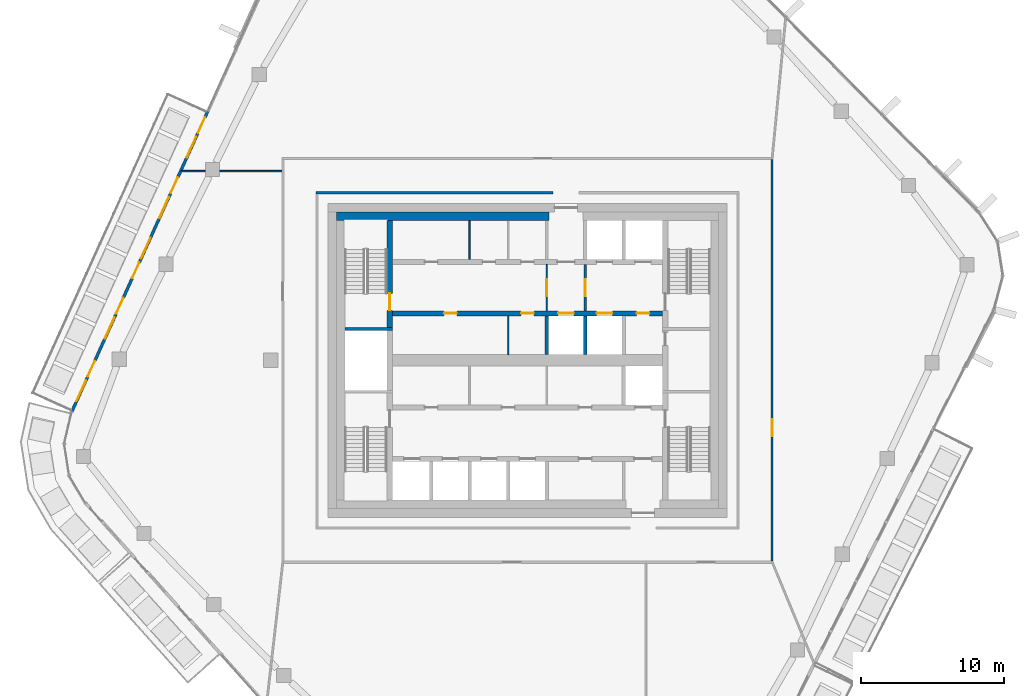
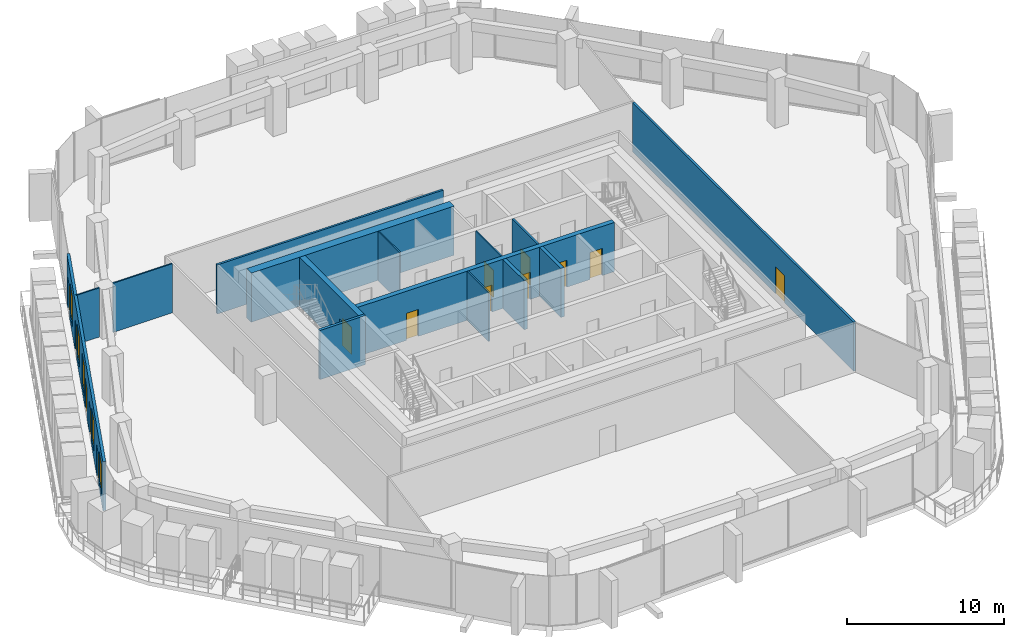
# One storey, part 14 of 23: 15 walls, 14 doors, 5 windows, 19 openings.
"""IFC4 building model written with IfcOpenShell, lengths in metres."""

from ifc_helpers import new_model, si_unit, direction, frame, frame_2d, origin, place, context, subcontext, project, spatial, rectangle, extrude, material, layer, layer_set, type_object, element, fill, save


model = new_model("IFC4")

# Units and contexts
model_context = context("Model", 3, precision=1e-05, world=origin(), true_north=direction((0.0, 1.0)))
body_context = subcontext(model_context, "Body", "Model", "MODEL_VIEW")
ifc_project = project(units=[si_unit("LENGTHUNIT", "METRE"), si_unit("AREAUNIT", "SQUARE_METRE"), si_unit("VOLUMEUNIT", "CUBIC_METRE"), si_unit("PLANEANGLEUNIT", "RADIAN"), si_unit("MASSUNIT", "GRAM", prefix="KILO")], contexts=[model_context])

# Site, building, storey
site_placement = place(None, origin())
site = spatial("IfcSite", under=ifc_project, at=site_placement, CompositionType="ELEMENT")
building_placement = place(site_placement, origin())
building = spatial("IfcBuilding", under=site, at=building_placement, Name="Dongbaek Canopy Tower", CompositionType="ELEMENT")
storey_placement = place(building_placement, frame((0.0, 0.0, 323.60009765625)))
storey = spatial("IfcBuildingStorey", under=building, at=storey_placement, Name="L69", CompositionType="ELEMENT", Elevation=323.60009765625)

# Wall, openings, doors
ifc_material_1 = material(Name="Concrete C60/75", Category="concrete")
ifc_layer_1 = layer(ifc_material_1, 0.35009765625)
ifc_layer_set_1 = layer_set([ifc_layer_1], Name="Core lobby wall 350 Concrete C60/75")
wall_type_1 = type_object("IfcWallType", Name="Core lobby wall 350 Concrete C60/75", PredefinedType="SHEAR", material=ifc_layer_set_1)
wall_1_placement = place(storey_placement, frame((9.449951171875, 3.300048828125, 0.0), z_axis=(0.0, 0.0, 1.0), x_axis=(-1.0, 0.0, 0.0)))
wall_1 = element("IfcWall", 1, at=wall_1_placement, inside=storey, type_object=wall_type_1, Name="Core wall", PredefinedType="SHEAR", context=body_context, shape_type="SweptSolid", body=[
    extrude(rectangle(XDim=18.89990234375, YDim=0.35009765625, at=frame_2d((9.449951171875, 0.0))), origin(), (0.0, 0.0, 1.0), 3.81982421875),
])
opening_1_placement = place(wall_1_placement, frame((6.199951171875, 0.0, 0.0)))
opening_1 = element("IfcOpeningElement", 2, at=opening_1_placement, cuts=wall_1, Name="Opening L69-D011", PredefinedType="OPENING", context=body_context, shape_type="SweptSolid", body=[
    extrude(rectangle(XDim=1.10009765625, YDim=2.10009765625, at=frame_2d((0.550048828125, 1.050048828125))), frame((0.0, 0.18505859375, 0.0), z_axis=(0.0, -1.0, 0.0), x_axis=(1.0, 0.0, 0.0)), (0.0, 0.0, 1.0), 0.3701171875),
])
opening_2_placement = place(wall_1_placement, frame((3.5, 0.0, 0.0)))
opening_2 = element("IfcOpeningElement", 3, at=opening_2_placement, cuts=wall_1, Name="Opening L69-D012", PredefinedType="OPENING", context=body_context, shape_type="SweptSolid", body=[
    extrude(rectangle(XDim=1.10009765625, YDim=2.10009765625, at=frame_2d((0.550048828125, 1.050048828125))), frame((0.0, 0.18505859375, 0.0), z_axis=(0.0, -1.0, 0.0), x_axis=(1.0, 0.0, 0.0)), (0.0, 0.0, 1.0), 0.3701171875),
])
opening_3_placement = place(wall_1_placement, frame((0.89990234375, 0.0, 0.0)))
opening_3 = element("IfcOpeningElement", 4, at=opening_3_placement, cuts=wall_1, Name="Opening L69-D013", PredefinedType="OPENING", context=body_context, shape_type="SweptSolid", body=[
    extrude(rectangle(XDim=0.89990234375, YDim=2.10009765625, at=frame_2d((0.449951171875, 1.050048828125))), frame((0.0, 0.18505859375, 0.0), z_axis=(0.0, -1.0, 0.0), x_axis=(1.0, 0.0, 0.0)), (0.0, 0.0, 1.0), 0.3701171875),
])
opening_4_placement = place(wall_1_placement, frame((14.39990234375, 0.0, 0.0)))
opening_4 = element("IfcOpeningElement", 5, at=opening_4_placement, cuts=wall_1, Name="Opening L69-D024", PredefinedType="OPENING", context=body_context, shape_type="SweptSolid", body=[
    extrude(rectangle(XDim=0.89990234375, YDim=2.10009765625, at=frame_2d((0.449951171875, 1.050048828125))), frame((0.0, 0.18505859375, 0.0), z_axis=(0.0, -1.0, 0.0), x_axis=(1.0, 0.0, 0.0)), (0.0, 0.0, 1.0), 0.3701171875),
])
opening_5_placement = place(wall_1_placement, frame((9.0, 0.0, 0.0)))
opening_5 = element("IfcOpeningElement", 6, at=opening_5_placement, cuts=wall_1, Name="Opening L69-D025", PredefinedType="OPENING", context=body_context, shape_type="SweptSolid", body=[
    extrude(rectangle(XDim=0.89990234375, YDim=2.10009765625, at=frame_2d((0.449951171875, 1.050048828125))), frame((0.0, 0.18505859375, 0.0), z_axis=(0.0, -1.0, 0.0), x_axis=(1.0, 0.0, 0.0)), (0.0, 0.0, 1.0), 0.3701171875),
])
ifc_material_2 = material(Name="Steel", Category="steel")
door_type_1 = type_object("IfcDoorType", Name="Core room door 900 x 2100", OperationType="SINGLE_SWING_LEFT", PredefinedType="DOOR", material=ifc_material_2)
door_1_placement = place(opening_3_placement, origin())
door_1 = element("IfcDoor", 7, at=door_1_placement, inside=storey, type_object=door_type_1, Name="Door L69-D013", OperationType="SINGLE_SWING_LEFT", OverallHeight=2.10009765625, OverallWidth=0.89990234375, PredefinedType="DOOR", context=body_context, shape_type="SweptSolid", body=[
    extrude(rectangle(XDim=0.89990234375, YDim=2.10009765625, at=frame_2d((0.449951171875, 1.050048828125))), frame((0.0, 0.02490234375, 0.0), z_axis=(0.0, -1.0, 0.0), x_axis=(1.0, 0.0, 0.0)), (0.0, 0.0, 1.0), 0.050048828125),
])
fill(opening_3, door_1)
door_2_placement = place(opening_4_placement, origin())
door_2 = element("IfcDoor", 8, at=door_2_placement, inside=storey, type_object=door_type_1, Name="Door L69-D024", OperationType="SINGLE_SWING_LEFT", OverallHeight=2.10009765625, OverallWidth=0.89990234375, PredefinedType="DOOR", context=body_context, shape_type="SweptSolid", body=[
    extrude(rectangle(XDim=0.89990234375, YDim=2.10009765625, at=frame_2d((0.449951171875, 1.050048828125))), frame((0.0, 0.02490234375, 0.0), z_axis=(0.0, -1.0, 0.0), x_axis=(1.0, 0.0, 0.0)), (0.0, 0.0, 1.0), 0.050048828125),
])
fill(opening_4, door_2)
door_3_placement = place(opening_5_placement, origin())
door_3 = element("IfcDoor", 9, at=door_3_placement, inside=storey, type_object=door_type_1, Name="Door L69-D025", OperationType="SINGLE_SWING_RIGHT", OverallHeight=2.10009765625, OverallWidth=0.89990234375, PredefinedType="DOOR", context=body_context, shape_type="SweptSolid", body=[
    extrude(rectangle(XDim=0.89990234375, YDim=2.10009765625, at=frame_2d((0.449951171875, 1.050048828125))), frame((0.0, 0.02490234375, 0.0), z_axis=(0.0, -1.0, 0.0), x_axis=(1.0, 0.0, 0.0)), (0.0, 0.0, 1.0), 0.050048828125),
])
fill(opening_5, door_3)
ifc_material_3 = material(Name="Stainless steel", Category="steel")
door_type_2 = type_object("IfcDoorType", Name="Lift landing door 1100 x 2100", OperationType="DOUBLE_DOOR_SLIDING", PredefinedType="DOOR", material=ifc_material_3)
door_4_placement = place(opening_1_placement, origin())
door_4 = element("IfcDoor", 10, at=door_4_placement, inside=storey, type_object=door_type_2, Name="Landing door SV1", OperationType="DOUBLE_DOOR_SLIDING", OverallHeight=2.10009765625, OverallWidth=1.10009765625, PredefinedType="DOOR", context=body_context, shape_type="SweptSolid", body=[
    extrude(rectangle(XDim=1.10009765625, YDim=2.10009765625, at=frame_2d((0.550048828125, 1.050048828125))), frame((0.0, 0.02490234375, 0.0), z_axis=(0.0, -1.0, 0.0), x_axis=(1.0, 0.0, 0.0)), (0.0, 0.0, 1.0), 0.050048828125),
])
fill(opening_1, door_4)
door_5_placement = place(opening_2_placement, origin())
door_5 = element("IfcDoor", 11, at=door_5_placement, inside=storey, type_object=door_type_2, Name="Landing door FF3", OperationType="DOUBLE_DOOR_SLIDING", OverallHeight=2.10009765625, OverallWidth=1.10009765625, PredefinedType="DOOR", context=body_context, shape_type="SweptSolid", body=[
    extrude(rectangle(XDim=1.10009765625, YDim=2.10009765625, at=frame_2d((0.550048828125, 1.050048828125))), frame((0.0, 0.02490234375, 0.0), z_axis=(0.0, -1.0, 0.0), x_axis=(1.0, 0.0, 0.0)), (0.0, 0.0, 1.0), 0.050048828125),
])
fill(opening_2, door_5)

# Walls
ifc_material_4 = material(Name="Concrete C60/75", Category="concrete")
ifc_layer_2 = layer(ifc_material_4, 0.60009765625)
ifc_layer_set_2 = layer_set([ifc_layer_2], Name="Core wall lining 600 Concrete C60/75")
wall_type_2 = type_object("IfcWallType", Name="Core wall lining 600 Concrete C60/75", PredefinedType="SHEAR", material=ifc_layer_set_2)
wall_2_placement = place(storey_placement, frame((-13.39990234375, 10.10009765625, 0.0), z_axis=(0.0, 0.0, 1.0), x_axis=(1.0, 0.0, 0.0)))
element("IfcWall", 12, at=wall_2_placement, inside=storey, type_object=wall_type_2, Name="Core wall lining", PredefinedType="SHEAR", context=body_context, shape_type="SweptSolid", body=[
    extrude(rectangle(XDim=14.89990234375, YDim=0.60009765625, at=frame_2d((7.449951171875, 0.0))), origin(), (0.0, 0.0, 1.0), 3.81982421875),
])
ifc_material_5 = material(Name="Gypsum board partition, steel stud, 2 x 15 mm fire board", Category="steel")
ifc_layer_3 = layer(ifc_material_5, 0.14990234375)
ifc_layer_set_3 = layer_set([ifc_layer_3], Name="Fire-rated partition 150 gypsum board")
wall_type_3 = type_object("IfcWallType", Name="Fire-rated partition 150 gypsum board", PredefinedType="PARTITIONING", material=ifc_layer_set_3)
wall_3_placement = place(storey_placement, frame((-14.824951171875, 11.75, 0.0), z_axis=(0.0, 0.0, 1.0), x_axis=(1.0, 0.0, 0.0)))
element("IfcWall", 13, at=wall_3_placement, inside=storey, type_object=wall_type_3, Name="Corridor partition", PredefinedType="PARTITIONING", context=body_context, shape_type="SweptSolid", body=[
    extrude(rectangle(XDim=16.625, YDim=0.14990234375, at=frame_2d((8.3125, 0.0))), origin(), (0.0, 0.0, 1.0), 3.81982421875),
])

# Wall, opening, door
wall_4_placement = place(storey_placement, frame((17.14990234375, 14.074951171875, 0.0), z_axis=(0.0, 0.0, 1.0), x_axis=(0.0, -1.0, 0.0)))
wall_4 = element("IfcWall", 14, at=wall_4_placement, inside=storey, type_object=wall_type_3, Name="Corridor partition", PredefinedType="PARTITIONING", context=body_context, shape_type="SweptSolid", body=[
    extrude(rectangle(XDim=28.14990234375, YDim=0.14990234375, at=frame_2d((14.074951171875, 0.0))), origin(), (0.0, 0.0, 1.0), 3.81982421875),
])
opening_6_placement = place(wall_4_placement, frame((18.185791015625, 0.0, 0.0)))
opening_6 = element("IfcOpeningElement", 15, at=opening_6_placement, cuts=wall_4, Name="Opening L69-D004", PredefinedType="OPENING", context=body_context, shape_type="SweptSolid", body=[
    extrude(rectangle(XDim=1.199951171875, YDim=2.10009765625, at=frame_2d((0.60009765625, 1.050048828125))), frame((0.0, 0.0849609375, 0.0), z_axis=(0.0, -1.0, 0.0), x_axis=(1.0, 0.0, 0.0)), (0.0, 0.0, 1.0), 0.169921875),
])
ifc_material_6 = material(Name="Timber veneered door leaf", Category="wood")
door_type_3 = type_object("IfcDoorType", Name="Room door 1200 x 2100", OperationType="SINGLE_SWING_LEFT", PredefinedType="DOOR", material=ifc_material_6)
door_6_placement = place(opening_6_placement, origin())
door_6 = element("IfcDoor", 16, at=door_6_placement, inside=storey, type_object=door_type_3, Name="Door L69-D004", OperationType="SINGLE_SWING_LEFT", OverallHeight=2.10009765625, OverallWidth=1.199951171875, PredefinedType="DOOR", context=body_context, shape_type="SweptSolid", body=[
    extrude(rectangle(XDim=1.199951171875, YDim=2.10009765625, at=frame_2d((0.60009765625, 1.050048828125))), frame((0.0, 0.02490234375, 0.0), z_axis=(0.0, -1.0, 0.0), x_axis=(1.0, 0.0, 0.0)), (0.0, 0.0, 1.0), 0.050048828125),
])
fill(opening_6, door_6)

wall_5_placement = place(storey_placement, frame((4.050048828125, 6.72509765625, 0.0), z_axis=(0.0, 0.0, 1.0), x_axis=(0.0, -1.0, 0.0)))
wall_5 = element("IfcWall", 17, at=wall_5_placement, inside=storey, type_object=wall_type_3, Name="Fire lobby partition", PredefinedType="PARTITIONING", context=body_context, shape_type="SweptSolid", body=[
    extrude(rectangle(XDim=3.25, YDim=0.14990234375, at=frame_2d((1.625, 0.0))), origin(), (0.0, 0.0, 1.0), 3.81982421875),
])
opening_7_placement = place(wall_5_placement, frame((1.02490234375, 0.0, 0.0)))
opening_7 = element("IfcOpeningElement", 18, at=opening_7_placement, cuts=wall_5, Name="Opening L69-D035", PredefinedType="OPENING", context=body_context, shape_type="SweptSolid", body=[
    extrude(rectangle(XDim=1.199951171875, YDim=2.10009765625, at=frame_2d((0.60009765625, 1.050048828125))), frame((0.0, 0.0849609375, 0.0), z_axis=(0.0, -1.0, 0.0), x_axis=(1.0, 0.0, 0.0)), (0.0, 0.0, 1.0), 0.169921875),
])
ifc_material_7 = material(Name="Steel", Category="steel")
door_type_4 = type_object("IfcDoorType", Name="Fire lobby door 1200 x 2100", OperationType="SINGLE_SWING_LEFT", PredefinedType="DOOR", material=ifc_material_7)
door_7_placement = place(opening_7_placement, origin())
door_7 = element("IfcDoor", 19, at=door_7_placement, inside=storey, type_object=door_type_4, Name="Door L69-D035", OperationType="SINGLE_SWING_RIGHT", OverallHeight=2.10009765625, OverallWidth=1.199951171875, PredefinedType="DOOR", context=body_context, shape_type="SweptSolid", body=[
    extrude(rectangle(XDim=1.199951171875, YDim=2.10009765625, at=frame_2d((0.60009765625, 1.050048828125))), frame((0.0, 0.02490234375, 0.0), z_axis=(0.0, -1.0, 0.0), x_axis=(1.0, 0.0, 0.0)), (0.0, 0.0, 1.0), 0.050048828125),
])
fill(opening_7, door_7)

# Walls
ifc_material_8 = material(Name="Concrete C40/50", Category="concrete")
ifc_layer_4 = layer(ifc_material_8, 0.25)
ifc_layer_set_4 = layer_set([ifc_layer_4], Name="Lift shaft wall 250 Concrete C40/50")
wall_type_4 = type_object("IfcWallType", Name="Lift shaft wall 250 Concrete C40/50", PredefinedType="SOLIDWALL", material=ifc_layer_set_4)
for number, where, z_axis, x_axis, name in (
    (20, (4.050048828125, 0.39990234375, 0.0), (0.0, 0.0, 1.0), (0.0, 1.0, 0.0), "Lift shaft wall"),
    (21, (1.35009765625, 0.39990234375, 0.0), (0.0, 0.0, 1.0), (0.0, 1.0, 0.0), "Lift shaft wall"),
):
    element("IfcWall", number, at=place(storey_placement, frame(where, z_axis=z_axis, x_axis=x_axis)), inside=storey, type_object=wall_type_4, Name=name, PredefinedType="SOLIDWALL", context=body_context, shape_type="SweptSolid", body=[
        extrude(rectangle(XDim=2.72509765625, YDim=0.25, at=frame_2d((1.362548828125, 0.0))), origin(), (0.0, 0.0, 1.0), 3.81982421875),
    ])
ifc_material_9 = material(Name="Gypsum board partition, steel stud, 2 x 12.5 mm board", Category="steel")
ifc_layer_5 = layer(ifc_material_9, 0.10009765625)
ifc_layer_set_5 = layer_set([ifc_layer_5], Name="Partition 100 gypsum board")
wall_type_5 = type_object("IfcWallType", Name="Partition 100 gypsum board", PredefinedType="PARTITIONING", material=ifc_layer_set_5)
wall_6_placement = place(storey_placement, frame((-24.28759765625, 13.27099609375, 0.0), z_axis=(0.0, 0.0, 1.0), x_axis=(1.0, 0.0, 0.0)))
element("IfcWall", 22, at=wall_6_placement, inside=storey, type_object=wall_type_5, Name="Partition", PredefinedType="PARTITIONING", context=body_context, shape_type="SweptSolid", body=[
    extrude(rectangle(XDim=1.711669921875, YDim=0.10009765625, at=frame_2d((0.85595703125, 0.0))), origin(), (0.0, 0.0, 1.0), 3.81982421875),
])
wall_7_placement = place(storey_placement, frame((-21.575927734375, 13.27099609375, 0.0), z_axis=(0.0, 0.0, 1.0), x_axis=(1.0, 0.0, 0.0)))
element("IfcWall", 23, at=wall_7_placement, inside=storey, type_object=wall_type_5, Name="Partition", PredefinedType="PARTITIONING", context=body_context, shape_type="SweptSolid", body=[
    extrude(rectangle(XDim=4.350830078125, YDim=0.10009765625, at=frame_2d((2.17529296875, 0.0))), origin(), (0.0, 0.0, 1.0), 3.81982421875),
])

# Wall, opening, door
wall_8_placement = place(storey_placement, frame((1.35009765625, 6.72509765625, 0.0), z_axis=(0.0, 0.0, 1.0), x_axis=(0.0, -1.0, 0.0)))
wall_8 = element("IfcWall", 24, at=wall_8_placement, inside=storey, type_object=wall_type_5, Name="Core partition", PredefinedType="PARTITIONING", context=body_context, shape_type="SweptSolid", body=[
    extrude(rectangle(XDim=3.25, YDim=0.10009765625, at=frame_2d((1.625, 0.0))), origin(), (0.0, 0.0, 1.0), 3.81982421875),
])
opening_8_placement = place(wall_8_placement, frame((1.02490234375, 0.0, 0.0)))
opening_8 = element("IfcOpeningElement", 25, at=opening_8_placement, cuts=wall_8, Name="Opening L69-D034", PredefinedType="OPENING", context=body_context, shape_type="SweptSolid", body=[
    extrude(rectangle(XDim=1.199951171875, YDim=2.10009765625, at=frame_2d((0.60009765625, 1.050048828125))), frame((0.0, 0.06005859375, 0.0), z_axis=(0.0, -1.0, 0.0), x_axis=(1.0, 0.0, 0.0)), (0.0, 0.0, 1.0), 0.1201171875),
])
door_8_placement = place(opening_8_placement, origin())
door_8 = element("IfcDoor", 26, at=door_8_placement, inside=storey, type_object=door_type_4, Name="Door L69-D034", OperationType="SINGLE_SWING_LEFT", OverallHeight=2.10009765625, OverallWidth=1.199951171875, PredefinedType="DOOR", context=body_context, shape_type="SweptSolid", body=[
    extrude(rectangle(XDim=1.199951171875, YDim=2.10009765625, at=frame_2d((0.60009765625, 1.050048828125))), frame((0.0, 0.02490234375, 0.0), z_axis=(0.0, -1.0, 0.0), x_axis=(1.0, 0.0, 0.0)), (0.0, 0.0, 1.0), 0.050048828125),
])
fill(opening_8, door_8)

# Walls
for number, where, z_axis, x_axis, name in (
    (27, (-1.35009765625, 0.39990234375, 0.0), (0.0, 0.0, 1.0), (0.0, 1.0, 0.0), "Core partition"),
    (28, (-4.050048828125, 7.074951171875, 0.0), (0.0, 0.0, 1.0), (0.0, 1.0, 0.0), "Core partition"),
):
    element("IfcWall", number, at=place(storey_placement, frame(where, z_axis=z_axis, x_axis=x_axis)), inside=storey, type_object=wall_type_5, Name=name, PredefinedType="PARTITIONING", context=body_context, shape_type="SweptSolid", body=[
        extrude(rectangle(XDim=2.72509765625, YDim=0.10009765625, at=frame_2d((1.362548828125, 0.0))), origin(), (0.0, 0.0, 1.0), 3.81982421875),
    ])
ifc_material_10 = material(Name="Concrete C60/75", Category="concrete")
ifc_layer_6 = layer(ifc_material_10, 0.199951171875)
ifc_layer_set_6 = layer_set([ifc_layer_6], Name="Riser wall 200 Concrete C60/75")
wall_type_6 = type_object("IfcWallType", Name="Riser wall 200 Concrete C60/75", PredefinedType="SHEAR", material=ifc_layer_set_6)
wall_9_placement = place(storey_placement, frame((-9.449951171875, 2.199951171875, 0.0), z_axis=(0.0, 0.0, 1.0), x_axis=(-1.0, 0.0, 0.0)))
element("IfcWall", 29, at=wall_9_placement, inside=storey, type_object=wall_type_6, Name="Riser wall", PredefinedType="SHEAR", context=body_context, shape_type="SweptSolid", body=[
    extrude(rectangle(XDim=3.35009765625, YDim=0.199951171875, at=frame_2d((1.675048828125, 0.0))), origin(), (0.0, 0.0, 1.0), 3.81982421875),
])

# Wall, opening, door
ifc_material_11 = material(Name="Concrete C60/75", Category="concrete")
ifc_layer_7 = layer(ifc_material_11, 0.39990234375)
ifc_layer_set_7 = layer_set([ifc_layer_7], Name="Stair wall 400 Concrete C60/75")
wall_type_7 = type_object("IfcWallType", Name="Stair wall 400 Concrete C60/75", PredefinedType="SHEAR", material=ifc_layer_set_7)
wall_10_placement = place(storey_placement, frame((-9.64990234375, 2.300048828125, 0.0), z_axis=(0.0, 0.0, 1.0), x_axis=(0.0, 1.0, 0.0)))
wall_10 = element("IfcWall", 30, at=wall_10_placement, inside=storey, type_object=wall_type_7, Name="Stair wall", PredefinedType="SHEAR", context=body_context, shape_type="SweptSolid", body=[
    extrude(rectangle(XDim=7.5, YDim=0.39990234375, at=frame_2d((3.75, 0.0))), origin(), (0.0, 0.0, 1.0), 3.81982421875),
])
opening_9_placement = place(wall_10_placement, frame((1.199951171875, 0.0, 0.0)))
opening_9 = element("IfcOpeningElement", 31, at=opening_9_placement, cuts=wall_10, Name="Opening L69-D031", PredefinedType="OPENING", context=body_context, shape_type="SweptSolid", body=[
    extrude(rectangle(XDim=1.199951171875, YDim=2.10009765625, at=frame_2d((0.60009765625, 1.050048828125))), frame((0.0, 0.2099609375, 0.0), z_axis=(0.0, -1.0, 0.0), x_axis=(1.0, 0.0, 0.0)), (0.0, 0.0, 1.0), 0.419921875),
])
ifc_material_12 = material(Name="Steel", Category="steel")
door_type_5 = type_object("IfcDoorType", Name="Stair door 1200 x 2100", OperationType="SINGLE_SWING_LEFT", PredefinedType="DOOR", material=ifc_material_12)
door_9_placement = place(opening_9_placement, origin())
door_9 = element("IfcDoor", 32, at=door_9_placement, inside=storey, type_object=door_type_5, Name="Stair C door", OperationType="SINGLE_SWING_RIGHT", OverallHeight=2.10009765625, OverallWidth=1.199951171875, PredefinedType="DOOR", context=body_context, shape_type="SweptSolid", body=[
    extrude(rectangle(XDim=1.199951171875, YDim=2.10009765625, at=frame_2d((0.60009765625, 1.050048828125))), frame((0.0, 0.02490234375, 0.0), z_axis=(0.0, -1.0, 0.0), x_axis=(1.0, 0.0, 0.0)), (0.0, 0.0, 1.0), 0.050048828125),
])
fill(opening_9, door_9)

# Wall, openings, doors, windows
ifc_material_13 = material(Name="Aluminium window wall", Category="aluminium")
ifc_layer_8 = layer(ifc_material_13, 0.199951171875)
ifc_layer_set_8 = layer_set([ifc_layer_8], Name="Window wall 200")
wall_type_8 = type_object("IfcWallType", Name="Window wall 200", PredefinedType="SOLIDWALL", material=ifc_layer_set_8)
wall_11_placement = place(storey_placement, frame((-22.39892578125, 17.4951171875, 0.0), z_axis=(0.0, 0.0, 1.0), x_axis=(-0.412123946496, -0.911127791654, 0.0)))
wall_11 = element("IfcWall", 33, at=wall_11_placement, inside=storey, type_object=wall_type_8, Name="Window wall L69 2", PredefinedType="SOLIDWALL", context=body_context, shape_type="SweptSolid", body=[
    extrude(rectangle(XDim=23.180419921875, YDim=0.199951171875, at=frame_2d((11.59033203125, 0.0))), origin(), (0.0, 0.0, 1.0), 3.81982421875),
])
opening_10_placement = place(wall_11_placement, frame((2.0, 0.0, 0.60009765625)))
opening_10 = element("IfcOpeningElement", 34, at=opening_10_placement, cuts=wall_11, Name="Opening W1", PredefinedType="OPENING", context=body_context, shape_type="SweptSolid", body=[
    extrude(rectangle(XDim=1.60009765625, YDim=2.39990234375, at=frame_2d((0.800048828125, 1.199951171875))), frame((0.0, 0.10986328125, 0.0), z_axis=(0.0, -1.0, 0.0), x_axis=(1.0, 0.0, 0.0)), (0.0, 0.0, 1.0), 0.219970703125),
])
opening_11_placement = place(wall_11_placement, frame((0.5, 0.0, 0.0)))
opening_11 = element("IfcOpeningElement", 35, at=opening_11_placement, cuts=wall_11, Name="Opening L69-B04", PredefinedType="OPENING", context=body_context, shape_type="SweptSolid", body=[
    extrude(rectangle(XDim=1.199951171875, YDim=2.39990234375, at=frame_2d((0.60009765625, 1.199951171875))), frame((0.0, 0.10986328125, 0.0), z_axis=(0.0, -1.0, 0.0), x_axis=(1.0, 0.0, 0.0)), (0.0, 0.0, 1.0), 0.219970703125),
])
opening_12_placement = place(wall_11_placement, frame((6.635986328125, 0.0, 0.60009765625)))
opening_12 = element("IfcOpeningElement", 36, at=opening_12_placement, cuts=wall_11, Name="Opening W1", PredefinedType="OPENING", context=body_context, shape_type="SweptSolid", body=[
    extrude(rectangle(XDim=1.60009765625, YDim=2.39990234375, at=frame_2d((0.800048828125, 1.199951171875))), frame((0.0, 0.10986328125, 0.0), z_axis=(0.0, -1.0, 0.0), x_axis=(1.0, 0.0, 0.0)), (0.0, 0.0, 1.0), 0.219970703125),
])
opening_13_placement = place(wall_11_placement, frame((5.135986328125, 0.0, 0.0)))
opening_13 = element("IfcOpeningElement", 37, at=opening_13_placement, cuts=wall_11, Name="Opening L69-B05", PredefinedType="OPENING", context=body_context, shape_type="SweptSolid", body=[
    extrude(rectangle(XDim=1.199951171875, YDim=2.39990234375, at=frame_2d((0.60009765625, 1.199951171875))), frame((0.0, 0.10986328125, 0.0), z_axis=(0.0, -1.0, 0.0), x_axis=(1.0, 0.0, 0.0)), (0.0, 0.0, 1.0), 0.219970703125),
])
opening_14_placement = place(wall_11_placement, frame((9.772216796875, 0.0, 0.60009765625)))
opening_14 = element("IfcOpeningElement", 38, at=opening_14_placement, cuts=wall_11, Name="Opening W1", PredefinedType="OPENING", context=body_context, shape_type="SweptSolid", body=[
    extrude(rectangle(XDim=1.60009765625, YDim=2.39990234375, at=frame_2d((0.800048828125, 1.199951171875))), frame((0.0, 0.10986328125, 0.0), z_axis=(0.0, -1.0, 0.0), x_axis=(1.0, 0.0, 0.0)), (0.0, 0.0, 1.0), 0.219970703125),
])
opening_15_placement = place(wall_11_placement, frame((11.672119140625, 0.0, 0.0)))
opening_15 = element("IfcOpeningElement", 39, at=opening_15_placement, cuts=wall_11, Name="Opening L69-B06", PredefinedType="OPENING", context=body_context, shape_type="SweptSolid", body=[
    extrude(rectangle(XDim=1.199951171875, YDim=2.39990234375, at=frame_2d((0.60009765625, 1.199951171875))), frame((0.0, 0.10986328125, 0.0), z_axis=(0.0, -1.0, 0.0), x_axis=(1.0, 0.0, 0.0)), (0.0, 0.0, 1.0), 0.219970703125),
])
opening_16_placement = place(wall_11_placement, frame((15.908203125, 0.0, 0.60009765625)))
opening_16 = element("IfcOpeningElement", 40, at=opening_16_placement, cuts=wall_11, Name="Opening W1", PredefinedType="OPENING", context=body_context, shape_type="SweptSolid", body=[
    extrude(rectangle(XDim=1.60009765625, YDim=2.39990234375, at=frame_2d((0.800048828125, 1.199951171875))), frame((0.0, 0.10986328125, 0.0), z_axis=(0.0, -1.0, 0.0), x_axis=(1.0, 0.0, 0.0)), (0.0, 0.0, 1.0), 0.219970703125),
])
opening_17_placement = place(wall_11_placement, frame((14.408203125, 0.0, 0.0)))
opening_17 = element("IfcOpeningElement", 41, at=opening_17_placement, cuts=wall_11, Name="Opening L69-B07", PredefinedType="OPENING", context=body_context, shape_type="SweptSolid", body=[
    extrude(rectangle(XDim=1.199951171875, YDim=2.39990234375, at=frame_2d((0.60009765625, 1.199951171875))), frame((0.0, 0.10986328125, 0.0), z_axis=(0.0, -1.0, 0.0), x_axis=(1.0, 0.0, 0.0)), (0.0, 0.0, 1.0), 0.219970703125),
])
opening_18_placement = place(wall_11_placement, frame((20.744384765625, 0.0, 0.60009765625)))
opening_18 = element("IfcOpeningElement", 42, at=opening_18_placement, cuts=wall_11, Name="Opening W1", PredefinedType="OPENING", context=body_context, shape_type="SweptSolid", body=[
    extrude(rectangle(XDim=1.60009765625, YDim=2.39990234375, at=frame_2d((0.800048828125, 1.199951171875))), frame((0.0, 0.10986328125, 0.0), z_axis=(0.0, -1.0, 0.0), x_axis=(1.0, 0.0, 0.0)), (0.0, 0.0, 1.0), 0.219970703125),
])
opening_19_placement = place(wall_11_placement, frame((19.244384765625, 0.0, 0.0)))
opening_19 = element("IfcOpeningElement", 43, at=opening_19_placement, cuts=wall_11, Name="Opening L69-B08", PredefinedType="OPENING", context=body_context, shape_type="SweptSolid", body=[
    extrude(rectangle(XDim=1.199951171875, YDim=2.39990234375, at=frame_2d((0.60009765625, 1.199951171875))), frame((0.0, 0.10986328125, 0.0), z_axis=(0.0, -1.0, 0.0), x_axis=(1.0, 0.0, 0.0)), (0.0, 0.0, 1.0), 0.219970703125),
])
ifc_material_14 = material(Name="Clear glazing in aluminium frame", Category="aluminium")
door_type_6 = type_object("IfcDoorType", Name="Balcony door BD1 1200 x 2400", OperationType="SLIDING_TO_LEFT", PredefinedType="DOOR", material=ifc_material_14)
door_10_placement = place(opening_11_placement, origin())
door_10 = element("IfcDoor", 44, at=door_10_placement, inside=storey, type_object=door_type_6, Name="Balcony door L69-B04", OperationType="SLIDING_TO_LEFT", OverallHeight=2.39990234375, OverallWidth=1.199951171875, PredefinedType="DOOR", context=body_context, shape_type="SweptSolid", body=[
    extrude(rectangle(XDim=1.199951171875, YDim=2.39990234375, at=frame_2d((0.60009765625, 1.199951171875))), frame((0.0, 0.02490234375, 0.0), z_axis=(0.0, -1.0, 0.0), x_axis=(1.0, 0.0, 0.0)), (0.0, 0.0, 1.0), 0.050048828125),
])
fill(opening_11, door_10)
door_11_placement = place(opening_13_placement, origin())
door_11 = element("IfcDoor", 45, at=door_11_placement, inside=storey, type_object=door_type_6, Name="Balcony door L69-B05", OperationType="SLIDING_TO_LEFT", OverallHeight=2.39990234375, OverallWidth=1.199951171875, PredefinedType="DOOR", context=body_context, shape_type="SweptSolid", body=[
    extrude(rectangle(XDim=1.199951171875, YDim=2.39990234375, at=frame_2d((0.60009765625, 1.199951171875))), frame((0.0, 0.02490234375, 0.0), z_axis=(0.0, -1.0, 0.0), x_axis=(1.0, 0.0, 0.0)), (0.0, 0.0, 1.0), 0.050048828125),
])
fill(opening_13, door_11)
door_12_placement = place(opening_15_placement, origin())
door_12 = element("IfcDoor", 46, at=door_12_placement, inside=storey, type_object=door_type_6, Name="Balcony door L69-B06", OperationType="SLIDING_TO_LEFT", OverallHeight=2.39990234375, OverallWidth=1.199951171875, PredefinedType="DOOR", context=body_context, shape_type="SweptSolid", body=[
    extrude(rectangle(XDim=1.199951171875, YDim=2.39990234375, at=frame_2d((0.60009765625, 1.199951171875))), frame((0.0, 0.02490234375, 0.0), z_axis=(0.0, -1.0, 0.0), x_axis=(1.0, 0.0, 0.0)), (0.0, 0.0, 1.0), 0.050048828125),
])
fill(opening_15, door_12)
door_13_placement = place(opening_17_placement, origin())
door_13 = element("IfcDoor", 47, at=door_13_placement, inside=storey, type_object=door_type_6, Name="Balcony door L69-B07", OperationType="SLIDING_TO_LEFT", OverallHeight=2.39990234375, OverallWidth=1.199951171875, PredefinedType="DOOR", context=body_context, shape_type="SweptSolid", body=[
    extrude(rectangle(XDim=1.199951171875, YDim=2.39990234375, at=frame_2d((0.60009765625, 1.199951171875))), frame((0.0, 0.02490234375, 0.0), z_axis=(0.0, -1.0, 0.0), x_axis=(1.0, 0.0, 0.0)), (0.0, 0.0, 1.0), 0.050048828125),
])
fill(opening_17, door_13)
door_14_placement = place(opening_19_placement, origin())
door_14 = element("IfcDoor", 48, at=door_14_placement, inside=storey, type_object=door_type_6, Name="Balcony door L69-B08", OperationType="SLIDING_TO_LEFT", OverallHeight=2.39990234375, OverallWidth=1.199951171875, PredefinedType="DOOR", context=body_context, shape_type="SweptSolid", body=[
    extrude(rectangle(XDim=1.199951171875, YDim=2.39990234375, at=frame_2d((0.60009765625, 1.199951171875))), frame((0.0, 0.02490234375, 0.0), z_axis=(0.0, -1.0, 0.0), x_axis=(1.0, 0.0, 0.0)), (0.0, 0.0, 1.0), 0.050048828125),
])
fill(opening_19, door_14)
ifc_material_15 = material(Name="Clear glazing in aluminium frame", Category="aluminium")
window_type = type_object("IfcWindowType", Name="Window W1 1600 x 2400", PartitioningType="SINGLE_PANEL", PredefinedType="WINDOW", material=ifc_material_15)
window_1_placement = place(opening_10_placement, origin())
window_1 = element("IfcWindow", 49, at=window_1_placement, inside=storey, type_object=window_type, Name="Window L69 2.1", OverallHeight=2.39990234375, OverallWidth=1.60009765625, PartitioningType="SINGLE_PANEL", PredefinedType="WINDOW", context=body_context, shape_type="SweptSolid", body=[
    extrude(rectangle(XDim=1.60009765625, YDim=2.39990234375, at=frame_2d((0.800048828125, 1.199951171875))), frame((0.0, 0.030029296875, 0.0), z_axis=(0.0, -1.0, 0.0), x_axis=(1.0, 0.0, 0.0)), (0.0, 0.0, 1.0), 0.06005859375),
])
fill(opening_10, window_1)
window_2_placement = place(opening_12_placement, origin())
window_2 = element("IfcWindow", 50, at=window_2_placement, inside=storey, type_object=window_type, Name="Window L69 2.2", OverallHeight=2.39990234375, OverallWidth=1.60009765625, PartitioningType="SINGLE_PANEL", PredefinedType="WINDOW", context=body_context, shape_type="SweptSolid", body=[
    extrude(rectangle(XDim=1.60009765625, YDim=2.39990234375, at=frame_2d((0.800048828125, 1.199951171875))), frame((0.0, 0.030029296875, 0.0), z_axis=(0.0, -1.0, 0.0), x_axis=(1.0, 0.0, 0.0)), (0.0, 0.0, 1.0), 0.06005859375),
])
fill(opening_12, window_2)
window_3_placement = place(opening_14_placement, origin())
window_3 = element("IfcWindow", 51, at=window_3_placement, inside=storey, type_object=window_type, Name="Window L69 2.3", OverallHeight=2.39990234375, OverallWidth=1.60009765625, PartitioningType="SINGLE_PANEL", PredefinedType="WINDOW", context=body_context, shape_type="SweptSolid", body=[
    extrude(rectangle(XDim=1.60009765625, YDim=2.39990234375, at=frame_2d((0.800048828125, 1.199951171875))), frame((0.0, 0.030029296875, 0.0), z_axis=(0.0, -1.0, 0.0), x_axis=(1.0, 0.0, 0.0)), (0.0, 0.0, 1.0), 0.06005859375),
])
fill(opening_14, window_3)
window_4_placement = place(opening_16_placement, origin())
window_4 = element("IfcWindow", 52, at=window_4_placement, inside=storey, type_object=window_type, Name="Window L69 2.4", OverallHeight=2.39990234375, OverallWidth=1.60009765625, PartitioningType="SINGLE_PANEL", PredefinedType="WINDOW", context=body_context, shape_type="SweptSolid", body=[
    extrude(rectangle(XDim=1.60009765625, YDim=2.39990234375, at=frame_2d((0.800048828125, 1.199951171875))), frame((0.0, 0.030029296875, 0.0), z_axis=(0.0, -1.0, 0.0), x_axis=(1.0, 0.0, 0.0)), (0.0, 0.0, 1.0), 0.06005859375),
])
fill(opening_16, window_4)
window_5_placement = place(opening_18_placement, origin())
window_5 = element("IfcWindow", 53, at=window_5_placement, inside=storey, type_object=window_type, Name="Window L69 2.5", OverallHeight=2.39990234375, OverallWidth=1.60009765625, PartitioningType="SINGLE_PANEL", PredefinedType="WINDOW", context=body_context, shape_type="SweptSolid", body=[
    extrude(rectangle(XDim=1.60009765625, YDim=2.39990234375, at=frame_2d((0.800048828125, 1.199951171875))), frame((0.0, 0.030029296875, 0.0), z_axis=(0.0, -1.0, 0.0), x_axis=(1.0, 0.0, 0.0)), (0.0, 0.0, 1.0), 0.06005859375),
])
fill(opening_18, window_5)

save(model, "model.ifc")
